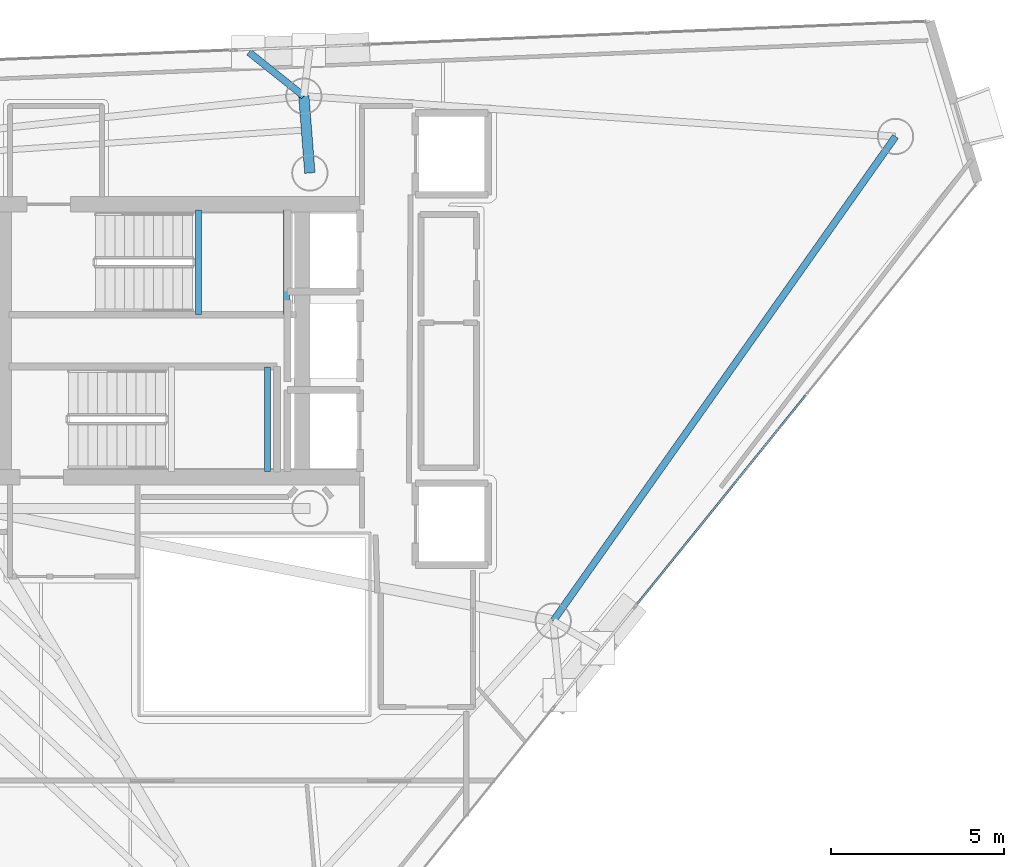
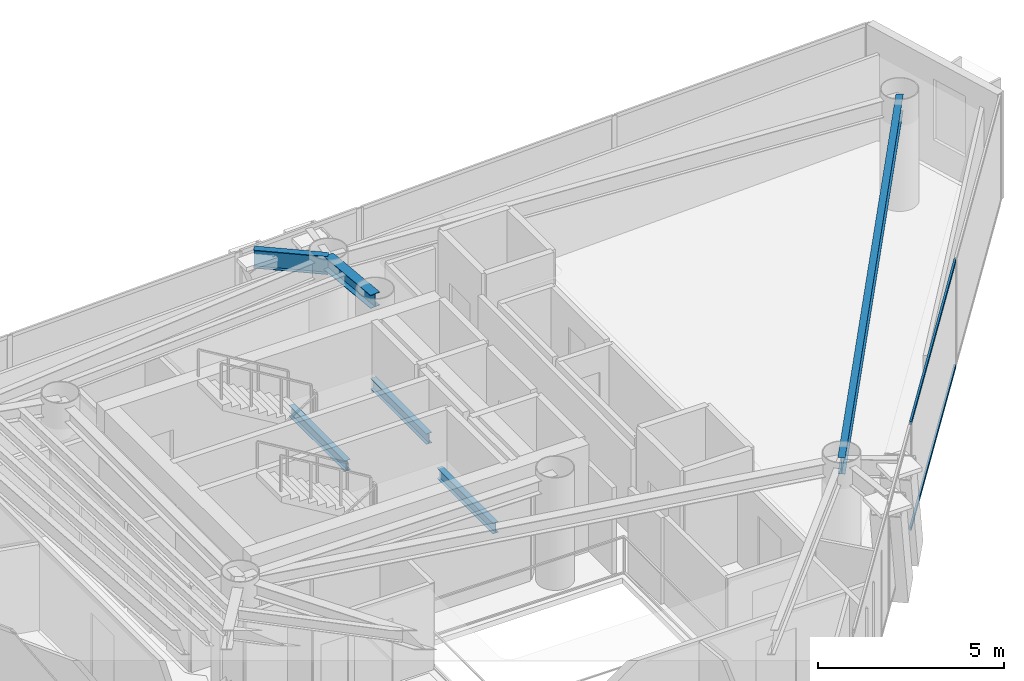
# One storey, part 10 of 19: 6 beams, 2 members, 1 element without a shape of its own.
"""IFC4 building model written with IfcOpenShell, lengths in metres."""

import ifcopenshell
import ifcopenshell.guid

model = None  # the IFC model being written
_history = None  # IfcOwnerHistory: only IFC2X3 demands one
_inside = {}  # id of a spatial element -> (the spatial element, [elements in it])
_under = {}  # id of a project, library or spatial element -> (it, [spatial elements below it])
_declared = {}  # id of a project -> (the project, [libraries it declares])
_typed = {}  # id of a type object -> (the type object, [elements of that type])
_made_of = {}  # id of a material, layer set ... -> (it, [elements and type objects made of it])


def new_model(schema):
    """Start an empty IFC model of exactly this schema.

    Asked for "IFC4X3", IfcOpenShell would pick the latest addendum, in which some entities
    have other attributes; the version numbers below select the first issue.
    IFC2X3 requires an IfcOwnerHistory on every rooted entity: one is made here for all.
    """
    global model, _history
    if schema == "IFC4X3":
        model = ifcopenshell.file(schema_version=(4, 3, 0, 0))
    else:
        model = ifcopenshell.file(schema=schema)
    _inside.clear()
    _under.clear()
    _declared.clear()
    _typed.clear()
    _made_of.clear()
    _history = None
    if model.schema == "IFC2X3":
        org = make("IfcOrganization", Name="unknown")
        user = make(
            "IfcPersonAndOrganization",
            ThePerson=make("IfcPerson", FamilyName="unknown"),
            TheOrganization=org,
        )
        app = make(
            "IfcApplication",
            ApplicationDeveloper=org,
            Version="unknown",
            ApplicationFullName="unknown",
            ApplicationIdentifier="unknown",
        )
        _history = make(
            "IfcOwnerHistory",
            OwningUser=user,
            OwningApplication=app,
            ChangeAction="ADDED",
            CreationDate=0,
        )
    return model


def make(cls, **values):
    """One entity of the class cls with the attributes given. An attribute that is None is left unset."""
    return model.create_entity(
        cls, **{name: value for name, value in values.items() if value is not None}
    )


def rooted(cls, **values):
    """An entity with a GlobalId (a new one), such as an element, a storey or a relation."""
    return make(cls, GlobalId=ifcopenshell.guid.new(), OwnerHistory=_history, **values)


def si_unit(unit_type, name, prefix=None):
    """IfcSIUnit, for example si_unit("LENGTHUNIT", "METRE", prefix="MILLI")."""
    return make("IfcSIUnit", UnitType=unit_type, Prefix=prefix, Name=name)


def assignment(units):
    """IfcUnitAssignment: the units of a project."""
    return None if units is None else make("IfcUnitAssignment", Units=units)


def point(xyz):
    """IfcCartesianPoint."""
    return None if xyz is None else make("IfcCartesianPoint", Coordinates=xyz)


def direction(xyz):
    """IfcDirection."""
    return None if xyz is None else make("IfcDirection", DirectionRatios=xyz)


def frame(location, z_axis=None, x_axis=None):
    """IfcAxis2Placement3D, a coordinate frame: its origin and axes. An axis left out is left unset."""
    return make(
        "IfcAxis2Placement3D",
        Location=point(location),
        Axis=direction(z_axis),
        RefDirection=direction(x_axis),
    )


def frame_2d(location, x_axis=None):
    """IfcAxis2Placement2D, a coordinate frame in the plane: its origin and x axis."""
    return make(
        "IfcAxis2Placement2D", Location=point(location), RefDirection=direction(x_axis)
    )


def origin():
    """The frame at (0, 0, 0) with its axes left unset."""
    return frame((0.0, 0.0, 0.0))


def origin_2d():
    """The frame at (0, 0) in the plane with its x axis left unset."""
    return frame_2d((0.0, 0.0))


def place(relative_to, where):
    """IfcLocalPlacement: puts the frame where relative to a parent placement (None: the world)."""
    return make(
        "IfcLocalPlacement", PlacementRelTo=relative_to, RelativePlacement=where
    )


def context(
    kind, dimensions, precision=None, world=None, true_north=None, identifier=None
):
    """IfcGeometricRepresentationContext, for example the 3D "Model" context."""
    return make(
        "IfcGeometricRepresentationContext",
        ContextIdentifier=identifier,
        ContextType=kind,
        CoordinateSpaceDimension=dimensions,
        Precision=precision,
        WorldCoordinateSystem=world,
        TrueNorth=true_north,
    )


def subcontext(parent, identifier, kind, view, scale=None):
    """IfcGeometricRepresentationSubContext, for example "Body" below "Model"."""
    return make(
        "IfcGeometricRepresentationSubContext",
        ContextIdentifier=identifier,
        ContextType=kind,
        ParentContext=parent,
        TargetScale=scale,
        TargetView=view,
    )


def project(units=None, contexts=None):
    """IfcProject with its units and contexts."""
    return rooted(
        "IfcProject",
        Name="project",
        RepresentationContexts=contexts,
        UnitsInContext=assignment(units),
    )


def spatial(cls, under=None, at=None, **own):
    """A site, building, storey or space (cls), placed at a placement, below another one or the project."""
    s = rooted(cls, ObjectPlacement=at, **own)
    if under is not None:
        _under.setdefault(under.id(), (under, []))[1].append(s)
    return s


def profile(cls, at=None, kind="AREA", **sizes):
    """A parametric profile (cls). Its sizes go by their IFC names, for example OverallWidth=200.0."""
    return make(cls, ProfileType=kind, Position=at, **sizes)


def hollow_rectangle(**sizes):
    """IfcRectangleHollowProfileDef."""
    return profile("IfcRectangleHollowProfileDef", **sizes)


def i_section(**sizes):
    """IfcIShapeProfileDef."""
    return profile("IfcIShapeProfileDef", **sizes)


def extrude(swept, where, along, depth):
    """IfcExtrudedAreaSolid: the profile swept, set in the frame where, extruded along a direction by depth."""
    return make(
        "IfcExtrudedAreaSolid",
        SweptArea=swept,
        Position=where,
        ExtrudedDirection=direction(along),
        Depth=depth,
    )


def shape(context_of_items, identifier, shape_type, items):
    """IfcShapeRepresentation: the items that make up one representation, for example the "Body"."""
    return make(
        "IfcShapeRepresentation",
        ContextOfItems=context_of_items,
        RepresentationIdentifier=identifier,
        RepresentationType=shape_type,
        Items=items,
    )


def material(Name=None, Category=None):
    """IfcMaterial."""
    return make("IfcMaterial", Name=Name, Category=Category)


def layer(
    of_material, thickness, ventilated=None, Name=None, Category=None, Priority=None
):
    """IfcMaterialLayer: one layer of a wall or slab, of a material (None: an air gap)."""
    return make(
        "IfcMaterialLayer",
        Material=of_material,
        LayerThickness=thickness,
        IsVentilated=ventilated,
        Name=Name,
        Category=Category,
        Priority=Priority,
    )


def layer_set(layers, Name=None):
    """IfcMaterialLayerSet."""
    return make("IfcMaterialLayerSet", MaterialLayers=layers, LayerSetName=Name)


def material_profile(
    of_material, cross_section, Name=None, Category=None, Priority=None
):
    """IfcMaterialProfile: a cross section and its material."""
    return make(
        "IfcMaterialProfile",
        Name=Name,
        Material=of_material,
        Profile=cross_section,
        Priority=Priority,
        Category=Category,
    )


def profile_set(profiles, Name=None, composite=None):
    """IfcMaterialProfileSet."""
    return make(
        "IfcMaterialProfileSet",
        Name=Name,
        MaterialProfiles=profiles,
        CompositeProfile=composite,
    )


def made_of(thing, what):
    """Note that an element or type object is made of a material, layer set ...; save() writes the relation."""
    if what is not None:
        _made_of.setdefault(what.id(), (what, []))[1].append(thing)
    return thing


def type_object(cls, material=None, **own):
    """A type object (cls), such as IfcWallType, which elements share."""
    return made_of(rooted(cls, **own), material)


def element(
    cls,
    number,
    at=None,
    inside=None,
    cuts=None,
    type_object=None,
    material=None,
    context=None,
    identifier="Body",
    shape_type=None,
    held_by="IfcProductDefinitionShape",
    body=None,
    shapes=None,
    **own,
):
    """One element of the class cls, such as IfcWall. Its Tag is "e" and its number.

    at: its placement. inside: the storey or other place that contains it. cuts: it is an
    opening in that element (IfcRelVoidsElement). A single representation is given by context,
    identifier, shape_type and body (its items); several are given by shapes. held_by: the class
    of the entity that holds the representations. save() writes the other relations.
    """
    e = rooted(cls, Tag="e%d" % number, ObjectPlacement=at, **own)
    if body is not None:
        shapes = [shape(context, identifier, shape_type, body)]
    if shapes is not None:
        e.Representation = make(held_by, Representations=shapes)
    if inside is not None:
        _inside.setdefault(inside.id(), (inside, []))[1].append(e)
    if cuts is not None:
        rooted(
            "IfcRelVoidsElement", RelatingBuildingElement=cuts, RelatedOpeningElement=e
        )
    if type_object is not None:
        _typed.setdefault(type_object.id(), (type_object, []))[1].append(e)
    return made_of(e, material)


def aggregate(whole, parts):
    """IfcRelAggregates: a whole, such as a stair, and the parts it consists of."""
    return rooted("IfcRelAggregates", RelatingObject=whole, RelatedObjects=parts)


def save(model, path):
    """Write the relations noted so far, then the file.

    IfcRelAggregates (storeys below a building ...), IfcRelContainedInSpatialStructure (elements
    in a storey), IfcRelDefinesByType, IfcRelAssociatesMaterial and IfcRelDeclares: one each for
    every whole, place, type object, material and project.
    """
    for whole, parts in _under.values():
        aggregate(whole, parts)
    for where, things in _inside.values():
        rooted(
            "IfcRelContainedInSpatialStructure",
            RelatedElements=things,
            RelatingStructure=where,
        )
    for kind, things in _typed.values():
        rooted("IfcRelDefinesByType", RelatedObjects=things, RelatingType=kind)
    for what, things in _made_of.values():
        rooted("IfcRelAssociatesMaterial", RelatedObjects=things, RelatingMaterial=what)
    for by, libraries in _declared.values():
        rooted("IfcRelDeclares", RelatingContext=by, RelatedDefinitions=libraries)
    model.write(path)


model = new_model("IFC4")

# Units and contexts
model_context = context("Model", 3, precision=1e-05, world=origin(), true_north=direction((0.0, 1.0)))
body_context = subcontext(model_context, "Body", "Model", "MODEL_VIEW")
ifc_project = project(units=[si_unit("LENGTHUNIT", "METRE"), si_unit("AREAUNIT", "SQUARE_METRE"), si_unit("VOLUMEUNIT", "CUBIC_METRE"), si_unit("PLANEANGLEUNIT", "RADIAN"), si_unit("MASSUNIT", "GRAM", prefix="KILO")], contexts=[model_context])

# Site, building, storey
site_placement = place(None, origin())
site = spatial("IfcSite", under=ifc_project, at=site_placement, CompositionType="ELEMENT")
building_placement = place(site_placement, origin())
building = spatial("IfcBuilding", under=site, at=building_placement, Name="Qianvela Tower", CompositionType="ELEMENT")
storey_placement = place(building_placement, frame((0.0, 0.0, 261.199951171875)))
storey = spatial("IfcBuildingStorey", under=building, at=storey_placement, Name="L67", CompositionType="ELEMENT", Elevation=261.199951171875)

# Beams
ifc_material_1 = material(Name="Steel Q355B", Category="steel")
ifc_material_profile_1 = material_profile(ifc_material_1, i_section(OverallWidth=0.300048828125, OverallDepth=0.43994140625, WebThickness=0.010986328125, FlangeThickness=0.01806640625, at=origin_2d()), Name="HM440x300x11x18")
ifc_profile_set_1 = profile_set([ifc_material_profile_1], Name="Steel Q355B")
beam_type_1 = type_object("IfcBeamType", Name="BM-HM440-COLL", PredefinedType="BEAM", material=ifc_profile_set_1)
beam_1_placement = place(storey_placement, frame((38.39990234375, 33.550048828125, 3.298095703125), z_axis=(-0.078396085685, 0.996922290727, 0.0), x_axis=(-0.996922290727, -0.078396085685, 0.0)))
element("IfcBeam", 1, at=beam_1_placement, inside=storey, type_object=beam_type_1, Name="L67 Radial Primary Floor Girder 2", PredefinedType="BEAM", context=body_context, shape_type="SweptSolid", body=[
    extrude(i_section(OverallWidth=0.300048828125, OverallDepth=0.43994140625, WebThickness=0.010986328125, FlangeThickness=0.01806640625, at=origin_2d()), origin(), (0.0, 0.0, 1.0), 2.229736328125),
])
ifc_material_2 = material(Name="Steel Q355B", Category="steel")
ifc_material_profile_2 = material_profile(ifc_material_2, i_section(OverallWidth=0.175048828125, OverallDepth=0.35009765625, WebThickness=0.007080078125, FlangeThickness=0.010986328125, at=origin_2d()), Name="HN350x175x7x11")
ifc_profile_set_2 = profile_set([ifc_material_profile_2], Name="Steel Q355B")
beam_type_2 = type_object("IfcBeamType", Name="BM-HN350-JOIST", PredefinedType="JOIST", material=ifc_profile_set_2)
for number, where, z_axis, x_axis, name in (
    (2, (35.179931640625, 29.4599609375, 1.47509765625), (0.0, 1.0, 0.0), (-1.0, 0.0, 0.0), "L67 Stair ST-1 Landing Support Beam 1.1"),
    (3, (37.719970703125, 29.4599609375, 1.47509765625), (0.0, 1.0, 0.0), (-1.0, 0.0, 0.0), "L67 Stair ST-1 Landing Support Beam 1.2"),
    (4, (37.169921875, 24.919921875, 1.47509765625), (0.0, 1.0, 0.0), (-1.0, 0.0, 0.0), "L67 Stair ST-2 Landing Support Beam 1.2"),
):
    element("IfcBeam", number, at=place(storey_placement, frame(where, z_axis=z_axis, x_axis=x_axis)), inside=storey, type_object=beam_type_2, Name=name, PredefinedType="JOIST", context=body_context, shape_type="SweptSolid", body=[
        extrude(i_section(OverallWidth=0.175048828125, OverallDepth=0.35009765625, WebThickness=0.007080078125, FlangeThickness=0.010986328125, at=origin_2d()), origin(), (0.0, 0.0, 1.0), 3.02001953125),
    ])
ifc_material_3 = material(Name="Steel Q355B", Category="steel")
ifc_material_profile_3 = material_profile(ifc_material_3, i_section(OverallWidth=0.199951171875, OverallDepth=0.550048828125, WebThickness=0.010009765625, FlangeThickness=0.01611328125, at=origin_2d()), Name="HN550x200x10x16")
ifc_profile_set_3 = profile_set([ifc_material_profile_3], Name="Steel Q355B")
beam_type_3 = type_object("IfcBeamType", Name="BM-HN550-GIRD", PredefinedType="BEAM", material=ifc_profile_set_3)
beam_2_placement = place(storey_placement, frame((45.43603515625, 20.597900390625, 3.2431640625), z_axis=(0.577019604961, 0.816730295441, 0.0), x_axis=(-0.816730295441, 0.577019604961, 0.0)))
element("IfcBeam", 5, at=beam_2_placement, inside=storey, type_object=beam_type_3, Name="L67 Perimeter Ring Spandrel Girder 6", PredefinedType="BEAM", context=body_context, shape_type="SweptSolid", body=[
    extrude(i_section(OverallWidth=0.199951171875, OverallDepth=0.550048828125, WebThickness=0.010009765625, FlangeThickness=0.01611328125, at=origin_2d()), origin(), (0.0, 0.0, 1.0), 17.150146484375),
])
ifc_material_4 = material(Name="Steel Q355B", Category="steel")
ifc_material_profile_4 = material_profile(ifc_material_4, i_section(OverallWidth=0.199951171875, OverallDepth=0.60009765625, WebThickness=0.010986328125, FlangeThickness=0.01708984375, at=origin_2d()), Name="HN600x200x11x17")
ifc_profile_set_4 = profile_set([ifc_material_profile_4], Name="Steel Q355B")
beam_type_4 = type_object("IfcBeamType", Name="BM-HN600-GIRD", PredefinedType="BEAM", material=ifc_profile_set_4)
beam_3_placement = place(storey_placement, frame((38.22509765625, 35.77294921875, 3.218017578125), z_axis=(-0.780950879082, 0.624592446689, 0.0), x_axis=(-0.624592446689, -0.780950879082, 0.0)))
element("IfcBeam", 6, at=beam_3_placement, inside=storey, type_object=beam_type_4, Name="L67 Mega-Brace Column Tie Bracket F1-2", PredefinedType="BEAM", context=body_context, shape_type="SweptSolid", body=[
    extrude(i_section(OverallWidth=0.199951171875, OverallDepth=0.60009765625, WebThickness=0.010986328125, FlangeThickness=0.01708984375, at=origin_2d()), origin(), (0.0, 0.0, 1.0), 2.031494140625),
])

# Curtain wall, members
ifc_material_5 = material(Name="Anodised Architectural Aluminium and Low-E Glass", Category="aluminium")
ifc_layer = layer(ifc_material_5, 0.159912109375)
ifc_layer_set = layer_set([ifc_layer], Name="Anodised Architectural Aluminium and Low-E Glass")
curtain_wall_type = type_object("IfcCurtainWallType", Name="CW-COLIV-Z56", PredefinedType="USERDEFINED", material=ifc_layer_set)
curtain_wall_placement = place(storey_placement, origin())
curtain_wall = element("IfcCurtainWall", 7, at=curtain_wall_placement, inside=storey, type_object=curtain_wall_type, Name="L67 CW-COLIV-Z56 Curtain Wall 06C", ObjectType="CURTAIN_WALL_SYSTEM", PredefinedType="USERDEFINED")
ifc_material_6 = material(Name="Anodised Architectural Aluminium 6063-T6", Category="aluminium")
ifc_material_profile_5 = material_profile(ifc_material_6, hollow_rectangle(XDim=0.06005859375, YDim=0.114990234375, WallThickness=0.00390625, at=origin_2d()), Name="ALU-TRAN-60x115")
ifc_profile_set_5 = profile_set([ifc_material_profile_5], Name="Anodised Architectural Aluminium 6063-T6")
member_type = type_object("IfcMemberType", Name="CW-COLIV-Z56-TRAN", PredefinedType="USERDEFINED", material=ifc_profile_set_5)
member_1_placement = place(storey_placement, frame((47.863525390625, 21.08935546875, 0.030029296875), z_axis=(0.62832537804, 0.777950653519, 0.0), x_axis=(-0.777950653519, 0.62832537804, 0.0)))
member_1 = element("IfcMember", 8, at=member_1_placement, type_object=member_type, Name="CW-5 transom 1.1", ObjectType="TRANSOM", PredefinedType="USERDEFINED", context=body_context, shape_type="SweptSolid", body=[
    extrude(hollow_rectangle(XDim=0.06005859375, YDim=0.114990234375, WallThickness=0.00390625, at=origin_2d()), origin(), (0.0, 0.0, 1.0), 7.752197265625),
])
member_2_placement = place(storey_placement, frame((47.863525390625, 21.08935546875, 3.489990234375), z_axis=(0.62832537804, 0.777950653519, 0.0), x_axis=(-0.777950653519, 0.62832537804, 0.0)))
member_2 = element("IfcMember", 9, at=member_2_placement, type_object=member_type, Name="CW-5 transom 1.2", ObjectType="TRANSOM", PredefinedType="USERDEFINED", context=body_context, shape_type="SweptSolid", body=[
    extrude(hollow_rectangle(XDim=0.06005859375, YDim=0.114990234375, WallThickness=0.00390625, at=origin_2d()), origin(), (0.0, 0.0, 1.0), 7.752197265625),
])
aggregate(curtain_wall, [member_1, member_2])

save(model, "model.ifc")
